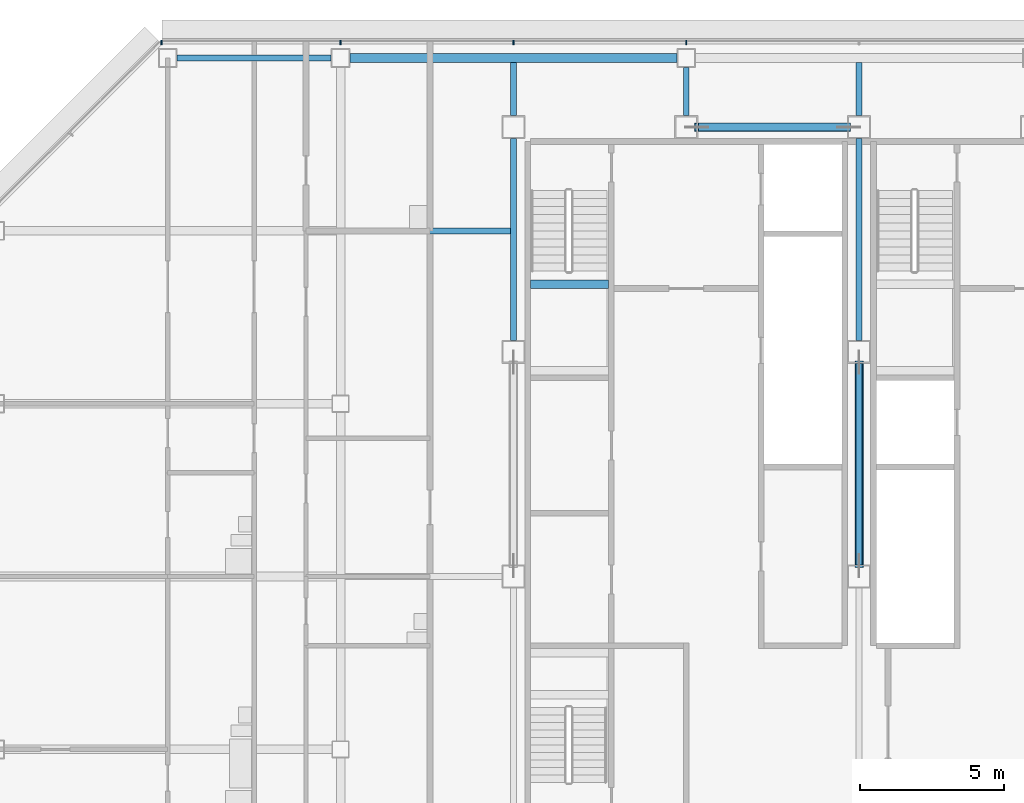
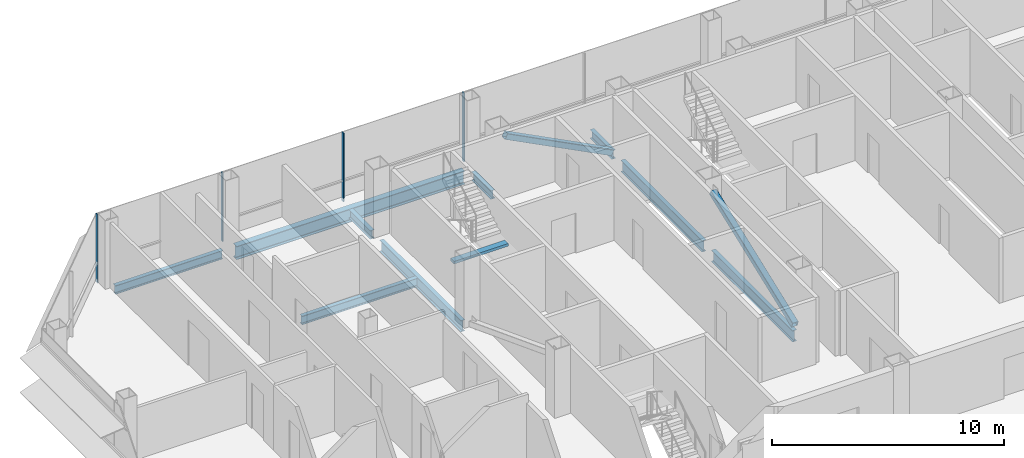
# One storey, part 12 of 27: 10 beams, 6 members, 1 element without a shape of its own.
"""IFC4 building model written with IfcOpenShell, lengths in metres."""

from ifc_helpers import new_model, si_unit, direction, frame, origin, origin_2d, place, context, subcontext, project, spatial, rectangle, hollow_rectangle, i_section, extrude, material, material_profile, profile_set, type_object, element, aggregate, save


model = new_model("IFC4")

# Units and contexts
model_context = context("Model", 3, precision=1e-05, world=origin(), true_north=direction((0.0, 1.0)))
body_context = subcontext(model_context, "Body", "Model", "MODEL_VIEW")
ifc_project = project(units=[si_unit("LENGTHUNIT", "METRE"), si_unit("AREAUNIT", "SQUARE_METRE"), si_unit("VOLUMEUNIT", "CUBIC_METRE"), si_unit("PLANEANGLEUNIT", "RADIAN"), si_unit("MASSUNIT", "GRAM", prefix="KILO")], contexts=[model_context])

# Site, building, storey
site_placement = place(None, origin())
site = spatial("IfcSite", under=ifc_project, at=site_placement, CompositionType="ELEMENT")
building_placement = place(site_placement, origin())
building = spatial("IfcBuilding", under=site, at=building_placement, Name="Sorahane Residences", CompositionType="ELEMENT")
storey_placement = place(building_placement, frame((0.0, 0.0, 202.800048828125)))
storey = spatial("IfcBuildingStorey", under=building, at=storey_placement, Name="L47", CompositionType="ELEMENT", Elevation=202.800048828125)

# Members
ifc_material_1 = material(Name="Steel Q355B", Category="steel")
ifc_material_profile_1 = material_profile(ifc_material_1, hollow_rectangle(XDim=0.300048828125, YDim=0.300048828125, WallThickness=0.01611328125, InnerFilletRadius=0.008056640625, OuterFilletRadius=0.02392578125, at=origin_2d()), Name="RHS 300x300x16")
ifc_profile_set_1 = profile_set([ifc_material_profile_1], Name="Steel Q355B")
member_type_1 = type_object("IfcMemberType", Name="Core brace RHS 300x300x16 Q355B", PredefinedType="BRACE", material=ifc_profile_set_1)
member_1_placement = place(storey_placement, frame((17.64111328125, 45.60009765625, 0.12890625), z_axis=(-0.889590046837, 0.0, 0.45675983686), x_axis=(0.0, -1.0, 0.0)))
element("IfcMember", 1, at=member_1_placement, inside=storey, type_object=member_type_1, Name="Core brace L47 y45.6-2", PredefinedType="BRACE", context=body_context, shape_type="SweptSolid", body=[
    extrude(hollow_rectangle(XDim=0.300048828125, YDim=0.300048828125, WallThickness=0.01611328125, InnerFilletRadius=0.008056640625, OuterFilletRadius=0.02392578125, at=origin_2d()), origin(), (0.0, 0.0, 1.0), 5.937744140625),
])
member_2_placement = place(storey_placement, frame((18.0, 30.367919921875, 0.1376953125), z_axis=(0.0, 0.934335722983, 0.356394103147), x_axis=(-1.0, 0.0, 0.0)))
element("IfcMember", 2, at=member_2_placement, inside=storey, type_object=member_type_1, Name="Core brace L47 x18-1", PredefinedType="BRACE", context=body_context, shape_type="SweptSolid", body=[
    extrude(hollow_rectangle(XDim=0.300048828125, YDim=0.300048828125, WallThickness=0.01611328125, InnerFilletRadius=0.008056640625, OuterFilletRadius=0.02392578125, at=origin_2d()), origin(), (0.0, 0.0, 1.0), 7.560791015625),
])

# Curtain wall, members
ifc_material_2 = material(Name="Dark low-e glass and black anodised aluminium", Category="aluminium")
curtain_wall_type = type_object("IfcCurtainWallType", Name="Curtain wall CW-1 Typical unitised wall", PredefinedType="NOTDEFINED", material=ifc_material_2)
curtain_wall_placement = place(storey_placement, origin())
curtain_wall = element("IfcCurtainWall", 3, at=curtain_wall_placement, inside=storey, type_object=curtain_wall_type, Name="CW-1 curtain wall L47 N1", PredefinedType="NOTDEFINED")
ifc_material_3 = material(Name="Black anodised aluminium", Category="aluminium")
ifc_material_profile_2 = material_profile(ifc_material_3, rectangle(XDim=0.159912109375, YDim=0.050048828125, at=origin_2d()), Name="Curtain wall mullion CW-1 black anodised aluminium 50x160")
ifc_profile_set_2 = profile_set([ifc_material_profile_2], Name="Black anodised aluminium")
member_type_2 = type_object("IfcMemberType", Name="Curtain wall mullion CW-1 black anodised aluminium 50x160", PredefinedType="MULLION", material=ifc_profile_set_2)
member_3_placement = place(storey_placement, frame((12.0, 48.5400390625, -0.179931640625), z_axis=(0.0, 0.0, 1.0), x_axis=(0.0, 1.0, 0.0)))
member_3 = element("IfcMember", 4, at=member_3_placement, type_object=member_type_2, Name="CW-1 mullion L47 N1.7", PredefinedType="MULLION", context=body_context, shape_type="SweptSolid", body=[
    extrude(rectangle(XDim=0.159912109375, YDim=0.050048828125, at=origin_2d()), origin(), (0.0, 0.0, 1.0), 3.599853515625),
])
member_4_placement = place(storey_placement, frame((6.0, 48.5400390625, -0.179931640625), z_axis=(0.0, 0.0, 1.0), x_axis=(0.0, 1.0, 0.0)))
member_4 = element("IfcMember", 5, at=member_4_placement, type_object=member_type_2, Name="CW-1 mullion L47 N1.8", PredefinedType="MULLION", context=body_context, shape_type="SweptSolid", body=[
    extrude(rectangle(XDim=0.159912109375, YDim=0.050048828125, at=origin_2d()), origin(), (0.0, 0.0, 1.0), 3.599853515625),
])
member_5_placement = place(storey_placement, frame((0.0, 48.5400390625, -0.179931640625), z_axis=(0.0, 0.0, 1.0), x_axis=(0.0, 1.0, 0.0)))
member_5 = element("IfcMember", 6, at=member_5_placement, type_object=member_type_2, Name="CW-1 mullion L47 N1.9", PredefinedType="MULLION", context=body_context, shape_type="SweptSolid", body=[
    extrude(rectangle(XDim=0.159912109375, YDim=0.050048828125, at=origin_2d()), origin(), (0.0, 0.0, 1.0), 3.599853515625),
])
member_6_placement = place(storey_placement, frame((-6.2236328125, 48.5400390625, -0.179931640625), z_axis=(0.0, 0.0, 1.0), x_axis=(0.0, 1.0, 0.0)))
member_6 = element("IfcMember", 7, at=member_6_placement, type_object=member_type_2, Name="CW-1 mullion L47 N1.10", PredefinedType="MULLION", context=body_context, shape_type="SweptSolid", body=[
    extrude(rectangle(XDim=0.159912109375, YDim=0.050048828125, at=origin_2d()), origin(), (0.0, 0.0, 1.0), 3.599853515625),
])
aggregate(curtain_wall, [member_3, member_4, member_5, member_6])

# Beams
ifc_material_4 = material(Name="Concrete C40", Category="concrete")
ifc_material_profile_3 = material_profile(ifc_material_4, rectangle(XDim=0.300048828125, YDim=0.139892578125, at=origin_2d()), Name="300x140")
ifc_profile_set_3 = profile_set([ifc_material_profile_3], Name="Concrete C40")
beam_type_1 = type_object("IfcBeamType", Name="RC landing beam 300 x 140 Concrete C40", PredefinedType="BEAM", material=ifc_profile_set_3)
beam_1_placement = place(storey_placement, frame((6.60009765625, 40.14990234375, 1.530029296875), z_axis=(1.0, 0.0, 0.0), x_axis=(0.0, 1.0, 0.0)))
element("IfcBeam", 8, at=beam_1_placement, inside=storey, type_object=beam_type_1, Name="Landing beam", PredefinedType="BEAM", context=body_context, shape_type="SweptSolid", body=[
    extrude(rectangle(XDim=0.300048828125, YDim=0.139892578125, at=origin_2d()), origin(), (0.0, 0.0, 1.0), 2.699951171875),
])
ifc_material_5 = material(Name="Steel Q355B", Category="steel")
ifc_material_profile_4 = material_profile(ifc_material_5, i_section(OverallWidth=0.199951171875, OverallDepth=0.449951171875, WebThickness=0.009033203125, FlangeThickness=0.013916015625, FilletRadius=0.02001953125, at=origin_2d()), Name="HN 450x200x9x14")
ifc_profile_set_4 = profile_set([ifc_material_profile_4], Name="Steel Q355B")
beam_type_2 = type_object("IfcBeamType", Name="Steel floor beam HN 450x200x9x14 Q355B", PredefinedType="BEAM", material=ifc_profile_set_4)
beam_2_placement = place(storey_placement, frame((-5.675048828125, 48.0, -0.405029296875), z_axis=(1.0, 0.0, 0.0), x_axis=(0.0, 1.0, 0.0)))
element("IfcBeam", 9, at=beam_2_placement, inside=storey, type_object=beam_type_2, Name="Beam L47 015", PredefinedType="BEAM", context=body_context, shape_type="SweptSolid", body=[
    extrude(i_section(OverallWidth=0.199951171875, OverallDepth=0.449951171875, WebThickness=0.009033203125, FlangeThickness=0.013916015625, FilletRadius=0.02001953125, at=origin_2d()), origin(), (0.0, 0.0, 1.0), 5.35009765625),
])
beam_3_placement = place(storey_placement, frame((6.0, 46.0, -0.405029296875), z_axis=(0.0, 1.0, 0.0), x_axis=(-1.0, 0.0, 0.0)))
element("IfcBeam", 10, at=beam_3_placement, inside=storey, type_object=beam_type_2, Name="Beam L47 033", PredefinedType="BEAM", context=body_context, shape_type="SweptSolid", body=[
    extrude(i_section(OverallWidth=0.199951171875, OverallDepth=0.449951171875, WebThickness=0.009033203125, FlangeThickness=0.013916015625, FilletRadius=0.02001953125, at=origin_2d()), origin(), (0.0, 0.0, 1.0), 1.85009765625),
])
beam_4_placement = place(storey_placement, frame((12.0, 46.0, -0.405029296875), z_axis=(0.0, 1.0, 0.0), x_axis=(-1.0, 0.0, 0.0)))
element("IfcBeam", 11, at=beam_4_placement, inside=storey, type_object=beam_type_2, Name="Beam L47 035", PredefinedType="BEAM", context=body_context, shape_type="SweptSolid", body=[
    extrude(i_section(OverallWidth=0.199951171875, OverallDepth=0.449951171875, WebThickness=0.009033203125, FlangeThickness=0.013916015625, FilletRadius=0.02001953125, at=origin_2d()), origin(), (0.0, 0.0, 1.0), 1.675048828125),
])
beam_5_placement = place(storey_placement, frame((18.0, 46.0, -0.405029296875), z_axis=(0.0, 1.0, 0.0), x_axis=(-1.0, 0.0, 0.0)))
element("IfcBeam", 12, at=beam_5_placement, inside=storey, type_object=beam_type_2, Name="Beam L47 041", PredefinedType="BEAM", context=body_context, shape_type="SweptSolid", body=[
    extrude(i_section(OverallWidth=0.199951171875, OverallDepth=0.449951171875, WebThickness=0.009033203125, FlangeThickness=0.013916015625, FilletRadius=0.02001953125, at=origin_2d()), origin(), (0.0, 0.0, 1.0), 1.85009765625),
])
beam_6_placement = place(storey_placement, frame((0.14990234375, 42.0, -0.405029296875), z_axis=(1.0, 0.0, 0.0), x_axis=(0.0, 1.0, 0.0)))
element("IfcBeam", 13, at=beam_6_placement, inside=storey, type_object=beam_type_2, Name="Beam L47 090", PredefinedType="BEAM", context=body_context, shape_type="SweptSolid", body=[
    extrude(i_section(OverallWidth=0.199951171875, OverallDepth=0.449951171875, WebThickness=0.009033203125, FlangeThickness=0.013916015625, FilletRadius=0.02001953125, at=origin_2d()), origin(), (0.0, 0.0, 1.0), 5.75),
])
ifc_material_6 = material(Name="Steel Q355B", Category="steel")
ifc_material_profile_5 = material_profile(ifc_material_6, i_section(OverallWidth=0.199951171875, OverallDepth=0.60009765625, WebThickness=0.010986328125, FlangeThickness=0.01708984375, FilletRadius=0.02392578125, at=origin_2d()), Name="HN 600x200x11x17")
ifc_profile_set_5 = profile_set([ifc_material_profile_5], Name="Steel Q355B")
beam_type_3 = type_object("IfcBeamType", Name="Steel floor beam HN 600x200x11x17 Q355B", PredefinedType="BEAM", material=ifc_profile_set_5)
for number, where, z_axis, x_axis, name in (
    (14, (6.0, 38.199951171875, -0.47998046875), (0.0, 1.0, 0.0), (-1.0, 0.0, 0.0), "Beam L47 032"),
    (15, (18.0, 30.39990234375, -0.47998046875), (0.0, 1.0, 0.0), (-1.0, 0.0, 0.0), "Beam L47 039"),
    (16, (18.0, 38.199951171875, -0.47998046875), (0.0, 1.0, 0.0), (-1.0, 0.0, 0.0), "Beam L47 040"),
):
    element("IfcBeam", number, at=place(storey_placement, frame(where, z_axis=z_axis, x_axis=x_axis)), inside=storey, type_object=beam_type_3, Name=name, PredefinedType="BEAM", context=body_context, shape_type="SweptSolid", body=[
        extrude(i_section(OverallWidth=0.199951171875, OverallDepth=0.60009765625, WebThickness=0.010986328125, FlangeThickness=0.01708984375, FilletRadius=0.02392578125, at=origin_2d()), origin(), (0.0, 0.0, 1.0), 7.0),
    ])
ifc_material_7 = material(Name="Steel Q355B", Category="steel")
ifc_material_profile_6 = material_profile(ifc_material_7, i_section(OverallWidth=0.300048828125, OverallDepth=0.699951171875, WebThickness=0.012939453125, FlangeThickness=0.02392578125, FilletRadius=0.028076171875, at=origin_2d()), Name="HN 700x300x13x24")
ifc_profile_set_6 = profile_set([ifc_material_profile_6], Name="Steel Q355B")
beam_type_4 = type_object("IfcBeamType", Name="Steel floor beam HN 700x300x13x24 Q355B", PredefinedType="BEAM", material=ifc_profile_set_6)
beam_7_placement = place(storey_placement, frame((0.324951171875, 48.0, -0.530029296875), z_axis=(1.0, 0.0, 0.0), x_axis=(0.0, 1.0, 0.0)))
element("IfcBeam", 17, at=beam_7_placement, inside=storey, type_object=beam_type_4, Name="Beam L47 016", PredefinedType="BEAM", context=body_context, shape_type="SweptSolid", body=[
    extrude(i_section(OverallWidth=0.300048828125, OverallDepth=0.699951171875, WebThickness=0.012939453125, FlangeThickness=0.02392578125, FilletRadius=0.028076171875, at=origin_2d()), origin(), (0.0, 0.0, 1.0), 11.35009765625),
])

save(model, "model.ifc")
